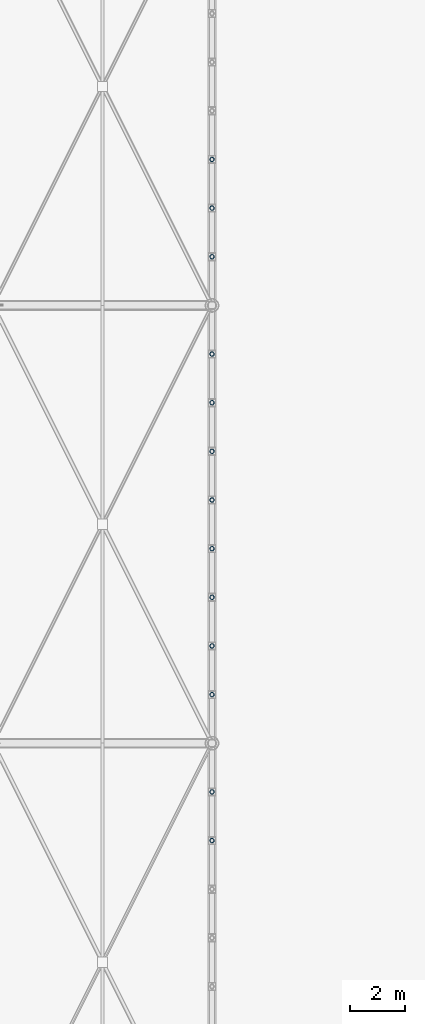
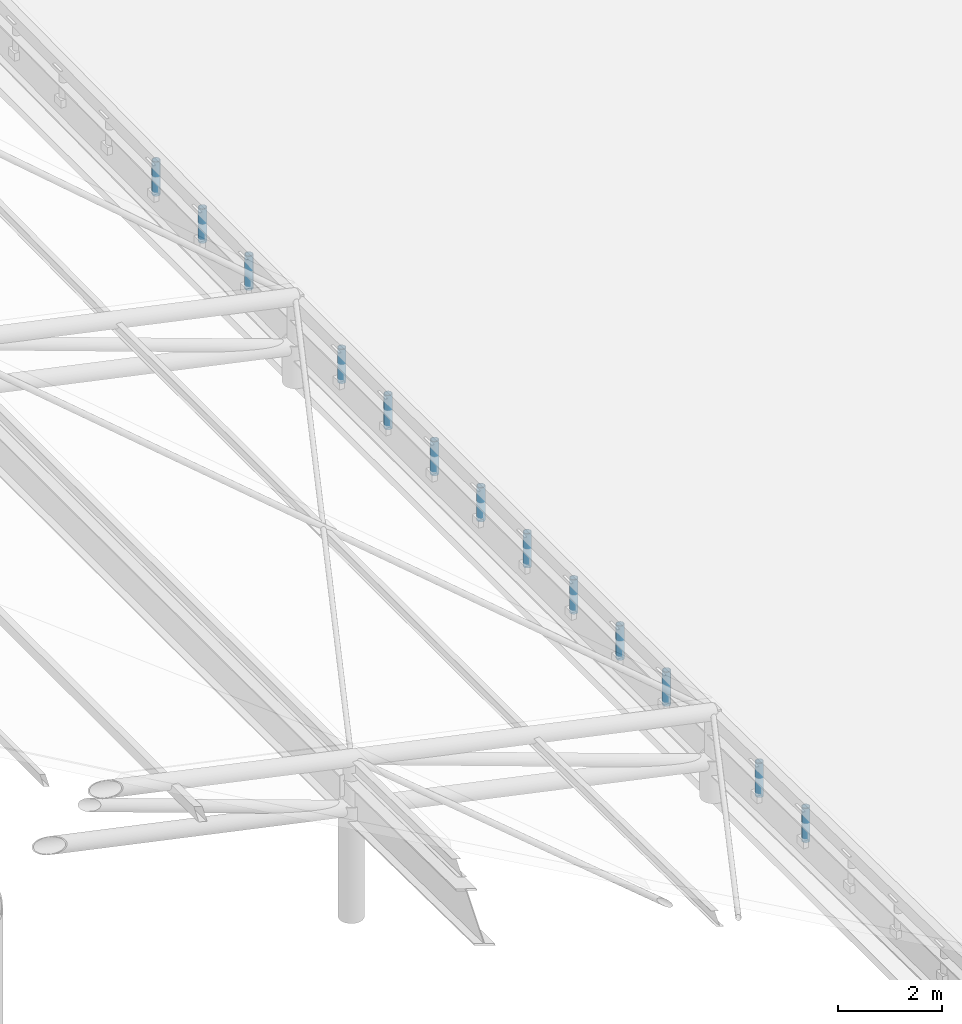
# One storey, part 28 of 54: 13 members.
"""IFC4 building model written with IfcOpenShell, lengths in metres."""

from ifc_helpers import new_model, si_unit, direction, frame, origin, origin_2d, place, context, subcontext, project, spatial, hollow_circle, extrude, material, material_profile, profile_set, type_object, element, save


model = new_model("IFC4")

# Units and contexts
model_context = context("Model", 3, precision=1e-05, world=origin(), true_north=direction((0.0, 1.0)))
body_context = subcontext(model_context, "Body", "Model", "MODEL_VIEW")
ifc_project = project(units=[si_unit("LENGTHUNIT", "METRE"), si_unit("AREAUNIT", "SQUARE_METRE"), si_unit("VOLUMEUNIT", "CUBIC_METRE"), si_unit("PLANEANGLEUNIT", "RADIAN"), si_unit("MASSUNIT", "GRAM", prefix="KILO")], contexts=[model_context])

# Site, building, storey
site_placement = place(None, origin())
site = spatial("IfcSite", under=ifc_project, at=site_placement, CompositionType="ELEMENT")
building_placement = place(site_placement, origin())
building = spatial("IfcBuilding", under=site, at=building_placement, Name="Haebicheon Civic Stadium", CompositionType="ELEMENT")
storey_placement = place(building_placement, frame((0.0, 0.0, 22.800048828125)))
storey = spatial("IfcBuildingStorey", under=building, at=storey_placement, Name="L06", CompositionType="ELEMENT", Elevation=22.800048828125)

# Members
ifc_material = material(Name="White painted steel SM490", Category="steel")
ifc_material_profile = material_profile(ifc_material, hollow_circle(Radius=0.084228515625, WallThickness=0.012451171875, at=origin_2d()), Name="CHS-168.3x12.5")
ifc_profile_set = profile_set([ifc_material_profile], Name="White painted steel SM490")
member_type = type_object("IfcMemberType", Name="HRD-CHS168", PredefinedType="USERDEFINED", material=ifc_profile_set)
member_1_placement = place(storey_placement, frame((208.0, 84.444091796875, 1.125), z_axis=(0.0, 0.0, 1.0), x_axis=(1.0, 0.0, 0.0)))
element("IfcMember", 1, at=member_1_placement, inside=storey, type_object=member_type, material=ifc_profile_set, Name="CAN-COMM white vertical suspension rod 2.7", ObjectType="HANGER ROD", PredefinedType="USERDEFINED", context=body_context, shape_type="SweptSolid", body=[
    extrude(hollow_circle(Radius=0.084228515625, WallThickness=0.012451171875, at=origin_2d()), origin(), (0.0, 0.0, 1.0), 0.800048828125),
])
member_2_placement = place(storey_placement, frame((208.0, 86.221923828125, 1.10205078125), z_axis=(0.0, 0.0, 1.0), x_axis=(1.0, 0.0, 0.0)))
element("IfcMember", 2, at=member_2_placement, inside=storey, type_object=member_type, material=ifc_profile_set, Name="CAN-COMM white vertical suspension rod 2.8", ObjectType="HANGER ROD", PredefinedType="USERDEFINED", context=body_context, shape_type="SweptSolid", body=[
    extrude(hollow_circle(Radius=0.084228515625, WallThickness=0.012451171875, at=origin_2d()), origin(), (0.0, 0.0, 1.0), 0.7998046875),
])
for number, where, z_axis, x_axis, name in (
    (3, (208.0, 89.778076171875, 1.077880859375), (0.0, 0.0, 1.0), (1.0, 0.0, 0.0), "CAN-COMM white vertical suspension rod 3.1"),
    (4, (208.0, 91.555908203125, 1.077880859375), (0.0, 0.0, 1.0), (1.0, 0.0, 0.0), "CAN-COMM white vertical suspension rod 3.2"),
    (5, (208.0, 93.3330078125, 1.077880859375), (0.0, 0.0, 1.0), (1.0, 0.0, 0.0), "CAN-COMM white vertical suspension rod 3.3"),
    (6, (208.0, 95.111083984375, 1.077880859375), (0.0, 0.0, 1.0), (1.0, 0.0, 0.0), "CAN-COMM white vertical suspension rod 3.4"),
    (7, (208.0, 96.888916015625, 1.077880859375), (0.0, 0.0, 1.0), (1.0, 0.0, 0.0), "CAN-COMM white vertical suspension rod 3.5"),
    (8, (208.0, 98.6669921875, 1.077880859375), (0.0, 0.0, 1.0), (1.0, 0.0, 0.0), "CAN-COMM white vertical suspension rod 3.6"),
    (9, (208.0, 100.444091796875, 1.077880859375), (0.0, 0.0, 1.0), (1.0, 0.0, 0.0), "CAN-COMM white vertical suspension rod 3.7"),
    (10, (208.0, 102.221923828125, 1.077880859375), (0.0, 0.0, 1.0), (1.0, 0.0, 0.0), "CAN-COMM white vertical suspension rod 3.8"),
):
    element("IfcMember", number, at=place(storey_placement, frame(where, z_axis=z_axis, x_axis=x_axis)), inside=storey, type_object=member_type, material=ifc_profile_set, Name=name, ObjectType="HANGER ROD", PredefinedType="USERDEFINED", context=body_context, shape_type="SweptSolid", body=[
        extrude(hollow_circle(Radius=0.084228515625, WallThickness=0.012451171875, at=origin_2d()), origin(), (0.0, 0.0, 1.0), 0.800048828125),
    ])
member_3_placement = place(storey_placement, frame((208.0, 105.778076171875, 1.10205078125), z_axis=(0.0, 0.0, 1.0), x_axis=(1.0, 0.0, 0.0)))
element("IfcMember", 11, at=member_3_placement, inside=storey, type_object=member_type, material=ifc_profile_set, Name="CAN-COMM white vertical suspension rod 4.1", ObjectType="HANGER ROD", PredefinedType="USERDEFINED", context=body_context, shape_type="SweptSolid", body=[
    extrude(hollow_circle(Radius=0.084228515625, WallThickness=0.012451171875, at=origin_2d()), origin(), (0.0, 0.0, 1.0), 0.7998046875),
])
for number, where, z_axis, x_axis, name in (
    (12, (208.0, 107.555908203125, 1.125), (0.0, 0.0, 1.0), (1.0, 0.0, 0.0), "CAN-COMM white vertical suspension rod 4.2"),
    (13, (208.0, 109.3330078125, 1.14892578125), (0.0, 0.0, 1.0), (1.0, 0.0, 0.0), "CAN-COMM white vertical suspension rod 4.3"),
):
    element("IfcMember", number, at=place(storey_placement, frame(where, z_axis=z_axis, x_axis=x_axis)), inside=storey, type_object=member_type, material=ifc_profile_set, Name=name, ObjectType="HANGER ROD", PredefinedType="USERDEFINED", context=body_context, shape_type="SweptSolid", body=[
        extrude(hollow_circle(Radius=0.084228515625, WallThickness=0.012451171875, at=origin_2d()), origin(), (0.0, 0.0, 1.0), 0.800048828125),
    ])

save(model, "model.ifc")
